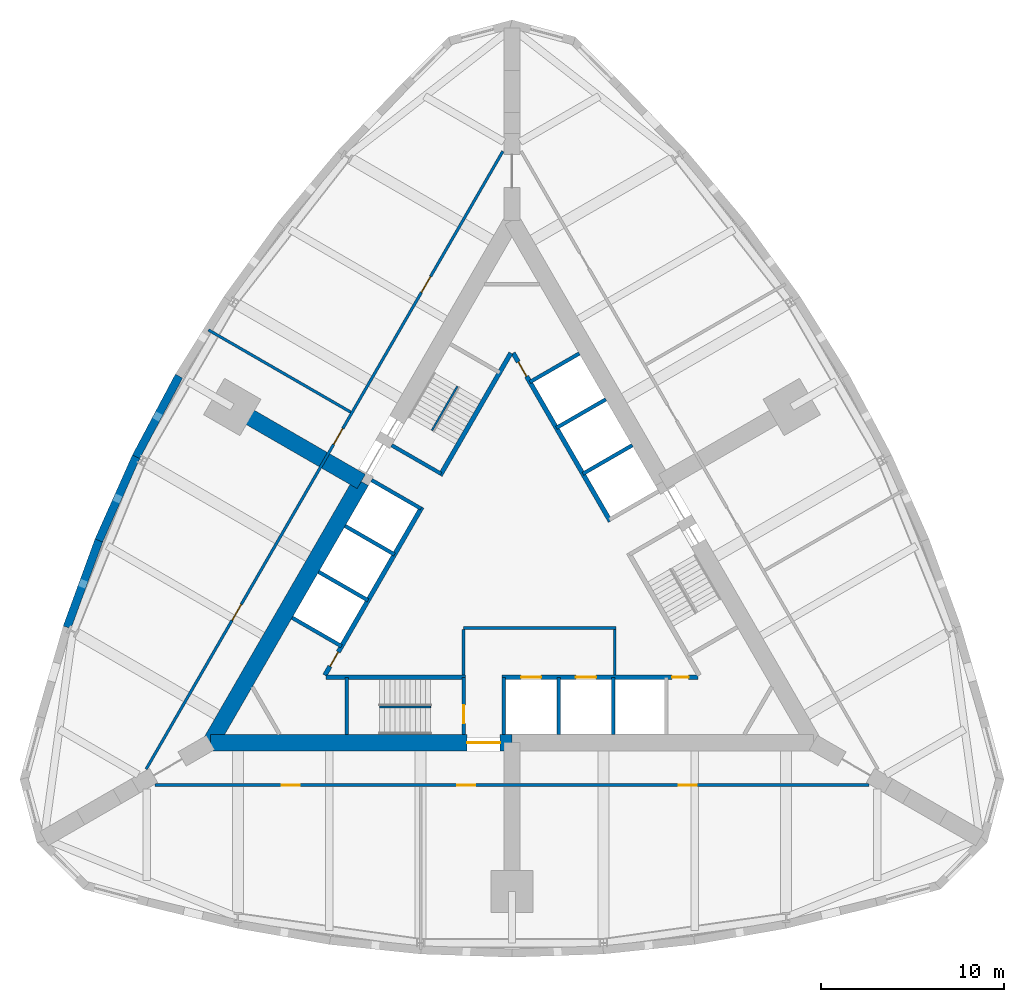
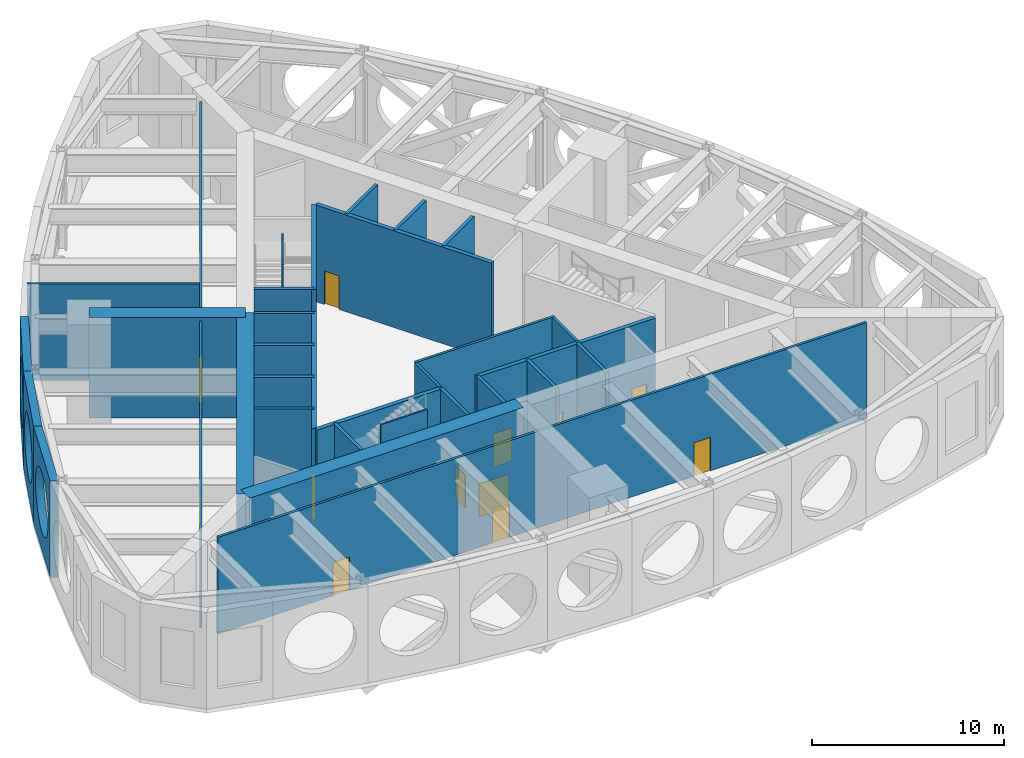
# One storey, part 3 of 7: 32 walls, 13 doors, 13 openings.
"""IFC4 building model written with IfcOpenShell, lengths in metres."""

from ifc_helpers import new_model, si_unit, direction, frame, frame_2d, origin, place, context, subcontext, project, spatial, polyline, rectangle, outline, extrude, material, layer, layer_set, type_object, element, fill, save


model = new_model("IFC4")

# Units and contexts
model_context = context("Model", 3, precision=1e-05, world=origin(), true_north=direction((0.0, 1.0)))
body_context = subcontext(model_context, "Body", "Model", "MODEL_VIEW")
ifc_project = project(units=[si_unit("LENGTHUNIT", "METRE"), si_unit("AREAUNIT", "SQUARE_METRE"), si_unit("VOLUMEUNIT", "CUBIC_METRE"), si_unit("PLANEANGLEUNIT", "RADIAN"), si_unit("MASSUNIT", "GRAM", prefix="KILO")], contexts=[model_context])

# Site, building, storey
site_placement = place(None, origin())
site = spatial("IfcSite", under=ifc_project, at=site_placement, CompositionType="ELEMENT")
building_placement = place(site_placement, origin())
building = spatial("IfcBuilding", under=site, at=building_placement, Name="Trikona Tower", CompositionType="ELEMENT")
storey_placement = place(building_placement, frame((0.0, 0.0, 189.5)))
storey = spatial("IfcBuildingStorey", under=building, at=storey_placement, Name="L51", CompositionType="ELEMENT", Elevation=189.5)

# Walls
ifc_material_1 = material(Name="Brick-faced precast concrete with louvred openings", Category="masonry")
ifc_layer_1 = layer(ifc_material_1, 0.449951171875)
ifc_layer_set_1 = layer_set([ifc_layer_1], Name="Brick-faced plant wall 450")
wall_type_1 = type_object("IfcWallType", Name="Brick-faced plant wall 450", PredefinedType="SOLIDWALL", material=ifc_layer_set_1)
wall_1_placement = place(storey_placement, frame((-18.226318359375, 10.531982421875, 0.0), z_axis=(0.0, 0.0, 1.0), x_axis=(-0.469404966864, -0.882982999317, 0.0)))
element("IfcWall", 1, at=wall_1_placement, inside=storey, type_object=wall_type_1, Name="External wall L51-28", PredefinedType="SOLIDWALL", context=body_context, shape_type="SweptSolid", body=[
    extrude(outline(polyline([(0.0, 0.0), (5.0029296875, 0.0), (5.0029296875, 6.14990234375), (0.0, 6.14990234375), (0.0, 0.0)]), holes=[polyline([(4.401611328125, 3.074951171875), (4.3369140625, 3.56689453125), (4.14697265625, 4.02490234375), (3.844970703125, 4.41845703125), (3.451416015625, 4.720458984375), (2.993408203125, 4.910400390625), (2.50146484375, 4.97509765625), (2.009765625, 4.910400390625), (1.551513671875, 4.720458984375), (1.157958984375, 4.41845703125), (0.856201171875, 4.02490234375), (0.666259765625, 3.56689453125), (0.6015625, 3.074951171875), (0.666259765625, 2.583251953125), (0.856201171875, 2.125), (1.157958984375, 1.7314453125), (1.551513671875, 1.4296875), (2.009765625, 1.23974609375), (2.50146484375, 1.175048828125), (2.993408203125, 1.23974609375), (3.451416015625, 1.4296875), (3.844970703125, 1.7314453125), (4.14697265625, 2.125), (4.3369140625, 2.583251953125), (4.401611328125, 3.074951171875)])]), frame((0.0, 0.22509765625, 0.0), z_axis=(0.0, -1.0, 0.0), x_axis=(1.0, 0.0, 0.0)), (0.0, 0.0, 1.0), 0.449951171875),
])
wall_2_placement = place(storey_placement, frame((-20.56787109375, 6.12841796875, 0.0), z_axis=(0.0, 0.0, 1.0), x_axis=(-0.406850247885, -0.913494869058, 0.0)))
element("IfcWall", 2, at=wall_2_placement, inside=storey, type_object=wall_type_1, Name="External wall L51-29", PredefinedType="SOLIDWALL", context=body_context, shape_type="SweptSolid", body=[
    extrude(outline(polyline([(0.0, 0.0), (5.02734375, 0.0), (5.02734375, 6.14990234375), (0.0, 6.14990234375), (0.0, 0.0)]), holes=[polyline([(4.413818359375, 3.074951171875), (4.34912109375, 3.56689453125), (4.1591796875, 4.02490234375), (3.857177734375, 4.41845703125), (3.463623046875, 4.720458984375), (3.005615234375, 4.910400390625), (2.513671875, 4.97509765625), (2.02197265625, 4.910400390625), (1.563720703125, 4.720458984375), (1.170166015625, 4.41845703125), (0.868408203125, 4.02490234375), (0.678466796875, 3.56689453125), (0.61376953125, 3.074951171875), (0.678466796875, 2.583251953125), (0.868408203125, 2.125), (1.170166015625, 1.7314453125), (1.563720703125, 1.4296875), (2.02197265625, 1.23974609375), (2.513671875, 1.175048828125), (3.005615234375, 1.23974609375), (3.463623046875, 1.4296875), (3.857177734375, 1.7314453125), (4.1591796875, 2.125), (4.34912109375, 2.583251953125), (4.413818359375, 3.074951171875)])]), frame((0.0, 0.22509765625, 0.0), z_axis=(0.0, -1.0, 0.0), x_axis=(1.0, 0.0, 0.0)), (0.0, 0.0, 1.0), 0.449951171875),
])
wall_3_placement = place(storey_placement, frame((-22.607421875, 1.55029296875, 0.0), z_axis=(0.0, 0.0, 1.0), x_axis=(-0.343210088389, -0.939258662578, 0.0)))
element("IfcWall", 3, at=wall_3_placement, inside=storey, type_object=wall_type_1, Name="External wall L51-30", PredefinedType="SOLIDWALL", context=body_context, shape_type="SweptSolid", body=[
    extrude(outline(polyline([(0.0, 0.0), (5.076171875, 0.0), (5.076171875, 6.14990234375), (0.0, 6.14990234375), (0.0, 0.0)]), holes=[polyline([(4.43798828125, 3.074951171875), (4.373291015625, 3.56689453125), (4.18359375, 4.02490234375), (3.881591796875, 4.41845703125), (3.488037109375, 4.720458984375), (3.02978515625, 4.910400390625), (2.5380859375, 4.97509765625), (2.04638671875, 4.910400390625), (1.587890625, 4.720458984375), (1.194580078125, 4.41845703125), (0.892578125, 4.02490234375), (0.702880859375, 3.56689453125), (0.637939453125, 3.074951171875), (0.702880859375, 2.583251953125), (0.892578125, 2.125), (1.194580078125, 1.7314453125), (1.587890625, 1.4296875), (2.04638671875, 1.23974609375), (2.5380859375, 1.175048828125), (3.02978515625, 1.23974609375), (3.488037109375, 1.4296875), (3.881591796875, 1.7314453125), (4.18359375, 2.125), (4.373291015625, 2.583251953125), (4.43798828125, 3.074951171875)])]), frame((0.0, 0.22509765625, 0.0), z_axis=(0.0, -1.0, 0.0), x_axis=(1.0, 0.0, 0.0)), (0.0, 0.0, 1.0), 0.449951171875),
])

# Wall, opening, door
ifc_material_2 = material(Name="Concrete f'c 10000 psi", Category="concrete")
ifc_layer_2 = layer(ifc_material_2, 0.89990234375)
ifc_layer_set_2 = layer_set([ifc_layer_2], Name="Core wall 900")
wall_type_2 = type_object("IfcWallType", Name="Core wall 900", PredefinedType="SHEAR", material=ifc_layer_set_2)
wall_4_placement = place(storey_placement, frame((-16.5, -9.5263671875, 0.0), z_axis=(0.0, 0.0, 1.0), x_axis=(1.0, 0.0, 0.0)))
wall_4 = element("IfcWall", 4, at=wall_4_placement, inside=storey, type_object=wall_type_2, Name="Core wall A1", PredefinedType="SHEAR", context=body_context, shape_type="SweptSolid", body=[
    extrude(rectangle(XDim=16.5, YDim=0.89990234375, at=frame_2d((8.25, 0.0))), origin(), (0.0, 0.0, 1.0), 6.39990234375),
])
opening_1_placement = place(wall_4_placement, frame((14.050048828125, 0.0, 0.0)))
opening_1 = element("IfcOpeningElement", 5, at=opening_1_placement, cuts=wall_4, Name="Opening D6", PredefinedType="OPENING", context=body_context, shape_type="SweptSolid", body=[
    extrude(rectangle(XDim=1.800048828125, YDim=2.1298828125, at=frame_2d((0.89990234375, 1.06494140625))), frame((0.0, 0.4599609375, 0.0), z_axis=(0.0, -1.0, 0.0), x_axis=(1.0, 0.0, 0.0)), (0.0, 0.0, 1.0), 0.919921875),
])
ifc_material_3 = material(Name="Hollow metal door and frame", Category="steel")
door_type_1 = type_object("IfcDoorType", Name="Lobby door pair 1800x2130", OperationType="DOUBLE_DOOR_SINGLE_SWING", PredefinedType="DOOR", material=ifc_material_3)
door_1_placement = place(opening_1_placement, origin())
door_1 = element("IfcDoor", 6, at=door_1_placement, inside=storey, type_object=door_type_1, Name="Fire service lift lobby door", OperationType="DOUBLE_DOOR_SINGLE_SWING", OverallHeight=2.1298828125, OverallWidth=1.800048828125, PredefinedType="DOOR", context=body_context, shape_type="SweptSolid", body=[
    extrude(rectangle(XDim=1.800048828125, YDim=2.1298828125, at=frame_2d((0.89990234375, 1.06494140625))), frame((0.0, 0.02490234375, 0.0), z_axis=(0.0, -1.0, 0.0), x_axis=(1.0, 0.0, 0.0)), (0.0, 0.0, 1.0), 0.050048828125),
])
fill(opening_1, door_1)

# Wall
wall_5_placement = place(storey_placement, frame((-8.25, 4.76318359375, 0.0), z_axis=(0.0, 0.0, 1.0), x_axis=(-0.499996545922, -0.866027397988, 0.0)))
element("IfcWall", 7, at=wall_5_placement, inside=storey, type_object=wall_type_2, Name="Core wall C2", PredefinedType="SHEAR", context=body_context, shape_type="SweptSolid", body=[
    extrude(rectangle(XDim=16.5, YDim=0.89990234375, at=frame_2d((8.25, 0.0))), origin(), (0.0, 0.0, 1.0), 6.39990234375),
])

# Wall, openings, doors
ifc_material_4 = material(Name="Metal stud and gypsum board, 1-hour", Category="gypsum")
ifc_layer_3 = layer(ifc_material_4, 0.14990234375)
ifc_layer_set_3 = layer_set([ifc_layer_3], Name="Corridor wall 150")
wall_type_3 = type_object("IfcWallType", Name="Corridor wall 150", PredefinedType="PARTITIONING", material=ifc_layer_set_3)
wall_6_placement = place(storey_placement, frame((-19.527099609375, -11.851318359375, 0.0), z_axis=(0.0, 0.0, 1.0), x_axis=(1.0, 0.0, 0.0)))
wall_6 = element("IfcWall", 8, at=wall_6_placement, inside=storey, type_object=wall_type_3, Name="Corridor wall L51-1", PredefinedType="PARTITIONING", context=body_context, shape_type="SweptSolid", body=[
    extrude(rectangle(XDim=39.05419921875, YDim=0.14990234375, at=frame_2d((19.527099609375, 0.0))), origin(), (0.0, 0.0, 1.0), 6.14990234375),
])
opening_2_placement = place(wall_6_placement, frame((6.91357421875, 0.0, 0.0)))
opening_2 = element("IfcOpeningElement", 9, at=opening_2_placement, cuts=wall_6, Name="Opening D3", PredefinedType="OPENING", context=body_context, shape_type="SweptSolid", body=[
    extrude(rectangle(XDim=1.0, YDim=2.1298828125, at=frame_2d((0.5, 1.06494140625))), frame((0.0, 0.0849609375, 0.0), z_axis=(0.0, -1.0, 0.0), x_axis=(1.0, 0.0, 0.0)), (0.0, 0.0, 1.0), 0.169921875),
])
opening_3_placement = place(wall_6_placement, frame((16.527099609375, 0.0, 0.0)))
opening_3 = element("IfcOpeningElement", 10, at=opening_3_placement, cuts=wall_6, Name="Opening D3", PredefinedType="OPENING", context=body_context, shape_type="SweptSolid", body=[
    extrude(rectangle(XDim=1.0, YDim=2.1298828125, at=frame_2d((0.5, 1.06494140625))), frame((0.0, 0.0849609375, 0.0), z_axis=(0.0, -1.0, 0.0), x_axis=(1.0, 0.0, 0.0)), (0.0, 0.0, 1.0), 0.169921875),
])
opening_4_placement = place(wall_6_placement, frame((28.640380859375, 0.0, 0.0)))
opening_4 = element("IfcOpeningElement", 11, at=opening_4_placement, cuts=wall_6, Name="Opening D3", PredefinedType="OPENING", context=body_context, shape_type="SweptSolid", body=[
    extrude(rectangle(XDim=1.0, YDim=2.1298828125, at=frame_2d((0.5, 1.06494140625))), frame((0.0, 0.0849609375, 0.0), z_axis=(0.0, -1.0, 0.0), x_axis=(1.0, 0.0, 0.0)), (0.0, 0.0, 1.0), 0.169921875),
])
ifc_material_5 = material(Name="Steel door frame with solid-core timber leaf", Category="steel")
door_type_2 = type_object("IfcDoorType", Name="Room door 1000x2130", OperationType="SINGLE_SWING_LEFT", PredefinedType="DOOR", material=ifc_material_5)
door_2_placement = place(opening_2_placement, origin())
door_2 = element("IfcDoor", 12, at=door_2_placement, inside=storey, type_object=door_type_2, Name="Door Transformer substation", OperationType="SINGLE_SWING_LEFT", OverallHeight=2.1298828125, OverallWidth=1.0, PredefinedType="DOOR", context=body_context, shape_type="SweptSolid", body=[
    extrude(rectangle(XDim=1.0, YDim=2.1298828125, at=frame_2d((0.5, 1.06494140625))), frame((0.0, 0.02490234375, 0.0), z_axis=(0.0, -1.0, 0.0), x_axis=(1.0, 0.0, 0.0)), (0.0, 0.0, 1.0), 0.050048828125),
])
fill(opening_2, door_2)
door_3_placement = place(opening_3_placement, origin())
door_3 = element("IfcDoor", 13, at=door_3_placement, inside=storey, type_object=door_type_2, Name="Door Sprinkler valve plant room", OperationType="SINGLE_SWING_RIGHT", OverallHeight=2.1298828125, OverallWidth=1.0, PredefinedType="DOOR", context=body_context, shape_type="SweptSolid", body=[
    extrude(rectangle(XDim=1.0, YDim=2.1298828125, at=frame_2d((0.5, 1.06494140625))), frame((0.0, 0.02490234375, 0.0), z_axis=(0.0, -1.0, 0.0), x_axis=(1.0, 0.0, 0.0)), (0.0, 0.0, 1.0), 0.050048828125),
])
fill(opening_3, door_3)
door_4_placement = place(opening_4_placement, origin())
door_4 = element("IfcDoor", 14, at=door_4_placement, inside=storey, type_object=door_type_2, Name="Door Refuge area", OperationType="SINGLE_SWING_LEFT", OverallHeight=2.1298828125, OverallWidth=1.0, PredefinedType="DOOR", context=body_context, shape_type="SweptSolid", body=[
    extrude(rectangle(XDim=1.0, YDim=2.1298828125, at=frame_2d((0.5, 1.06494140625))), frame((0.0, 0.02490234375, 0.0), z_axis=(0.0, -1.0, 0.0), x_axis=(1.0, 0.0, 0.0)), (0.0, 0.0, 1.0), 0.050048828125),
])
fill(opening_4, door_4)

wall_7_placement = place(storey_placement, frame((-0.5, 22.83642578125, 0.0), z_axis=(0.0, 0.0, 1.0), x_axis=(-0.500001677587, -0.866024435227, 0.0)))
wall_7 = element("IfcWall", 15, at=wall_7_placement, inside=storey, type_object=wall_type_3, Name="Corridor wall L51-3", PredefinedType="PARTITIONING", context=body_context, shape_type="SweptSolid", body=[
    extrude(rectangle(XDim=39.053955078125, YDim=0.14990234375, at=frame_2d((19.52685546875, 0.0))), origin(), (0.0, 0.0, 1.0), 6.14990234375),
])
opening_5_placement = place(wall_7_placement, frame((7.91357421875, 0.0, 0.0)))
opening_5 = element("IfcOpeningElement", 16, at=opening_5_placement, cuts=wall_7, Name="Opening D3", PredefinedType="OPENING", context=body_context, shape_type="SweptSolid", body=[
    extrude(rectangle(XDim=1.0, YDim=2.1298828125, at=frame_2d((0.5, 1.06494140625))), frame((0.0, 0.0849609375, 0.0), z_axis=(0.0, -1.0, 0.0), x_axis=(1.0, 0.0, 0.0)), (0.0, 0.0, 1.0), 0.169921875),
])
opening_6_placement = place(wall_7_placement, frame((17.527099609375, 0.0, 0.0)))
opening_6 = element("IfcOpeningElement", 17, at=opening_6_placement, cuts=wall_7, Name="Opening D3", PredefinedType="OPENING", context=body_context, shape_type="SweptSolid", body=[
    extrude(rectangle(XDim=1.0, YDim=2.1298828125, at=frame_2d((0.5, 1.06494140625))), frame((0.0, 0.0849609375, 0.0), z_axis=(0.0, -1.0, 0.0), x_axis=(1.0, 0.0, 0.0)), (0.0, 0.0, 1.0), 0.169921875),
])
opening_7_placement = place(wall_7_placement, frame((28.640380859375, 0.0, 0.0)))
opening_7 = element("IfcOpeningElement", 18, at=opening_7_placement, cuts=wall_7, Name="Opening D3", PredefinedType="OPENING", context=body_context, shape_type="SweptSolid", body=[
    extrude(rectangle(XDim=1.0, YDim=2.1298828125, at=frame_2d((0.5, 1.06494140625))), frame((0.0, 0.0849609375, 0.0), z_axis=(0.0, -1.0, 0.0), x_axis=(1.0, 0.0, 0.0)), (0.0, 0.0, 1.0), 0.169921875),
])
door_5_placement = place(opening_5_placement, origin())
door_5 = element("IfcDoor", 19, at=door_5_placement, inside=storey, type_object=door_type_2, Name="Door Break tank room", OperationType="SINGLE_SWING_LEFT", OverallHeight=2.1298828125, OverallWidth=1.0, PredefinedType="DOOR", context=body_context, shape_type="SweptSolid", body=[
    extrude(rectangle(XDim=1.0, YDim=2.1298828125, at=frame_2d((0.5, 1.06494140625))), frame((0.0, 0.02490234375, 0.0), z_axis=(0.0, -1.0, 0.0), x_axis=(1.0, 0.0, 0.0)), (0.0, 0.0, 1.0), 0.050048828125),
])
fill(opening_5, door_5)
door_6_placement = place(opening_6_placement, origin())
door_6 = element("IfcDoor", 20, at=door_6_placement, inside=storey, type_object=door_type_2, Name="Door Booster pump plant room", OperationType="SINGLE_SWING_RIGHT", OverallHeight=2.1298828125, OverallWidth=1.0, PredefinedType="DOOR", context=body_context, shape_type="SweptSolid", body=[
    extrude(rectangle(XDim=1.0, YDim=2.1298828125, at=frame_2d((0.5, 1.06494140625))), frame((0.0, 0.02490234375, 0.0), z_axis=(0.0, -1.0, 0.0), x_axis=(1.0, 0.0, 0.0)), (0.0, 0.0, 1.0), 0.050048828125),
])
fill(opening_6, door_6)
door_7_placement = place(opening_7_placement, origin())
door_7 = element("IfcDoor", 21, at=door_7_placement, inside=storey, type_object=door_type_2, Name="Door Smoke control fan plant room", OperationType="SINGLE_SWING_LEFT", OverallHeight=2.1298828125, OverallWidth=1.0, PredefinedType="DOOR", context=body_context, shape_type="SweptSolid", body=[
    extrude(rectangle(XDim=1.0, YDim=2.1298828125, at=frame_2d((0.5, 1.06494140625))), frame((0.0, 0.02490234375, 0.0), z_axis=(0.0, -1.0, 0.0), x_axis=(1.0, 0.0, 0.0)), (0.0, 0.0, 1.0), 0.050048828125),
])
fill(opening_7, door_7)

# Wall
ifc_material_6 = material(Name="Concrete f'c 8000 psi", Category="concrete")
ifc_layer_4 = layer(ifc_material_6, 0.25)
ifc_layer_set_4 = layer_set([ifc_layer_4], Name="Hub wall 250")
wall_type_4 = type_object("IfcWallType", Name="Hub wall 250", PredefinedType="SOLIDWALL", material=ifc_layer_set_4)
wall_8_placement = place(storey_placement, frame((-10.182861328125, -5.951416015625, 0.0), z_axis=(0.0, 0.0, 1.0), x_axis=(1.0, 0.0, 0.0)))
element("IfcWall", 22, at=wall_8_placement, inside=storey, type_object=wall_type_4, Name="Lift lobby wall A1", PredefinedType="SOLIDWALL", context=body_context, shape_type="SweptSolid", body=[
    extrude(rectangle(XDim=7.6328125, YDim=0.25, at=frame_2d((3.81640625, 0.0))), origin(), (0.0, 0.0, 1.0), 6.14990234375),
])

# Wall, openings, doors
wall_9_placement = place(storey_placement, frame((-0.550048828125, -5.951416015625, 0.0), z_axis=(0.0, 0.0, 1.0), x_axis=(1.0, 0.0, 0.0)))
wall_9 = element("IfcWall", 23, at=wall_9_placement, inside=storey, type_object=wall_type_4, Name="Lift lobby wall A2", PredefinedType="SOLIDWALL", context=body_context, shape_type="SweptSolid", body=[
    extrude(rectangle(XDim=10.73291015625, YDim=0.25, at=frame_2d((5.366455078125, 0.0))), origin(), (0.0, 0.0, 1.0), 6.14990234375),
])
opening_8_placement = place(wall_9_placement, frame((9.31396484375, 0.0, 0.0)))
opening_8 = element("IfcOpeningElement", 24, at=opening_8_placement, cuts=wall_9, Name="Opening D14", PredefinedType="OPENING", context=body_context, shape_type="SweptSolid", body=[
    extrude(rectangle(XDim=0.89990234375, YDim=2.1298828125, at=frame_2d((0.449951171875, 1.06494140625))), frame((0.0, 0.135009765625, 0.0), z_axis=(0.0, -1.0, 0.0), x_axis=(1.0, 0.0, 0.0)), (0.0, 0.0, 1.0), 0.27001953125),
])
opening_9_placement = place(wall_9_placement, frame((1.050048828125, 0.0, 0.0)))
opening_9 = element("IfcOpeningElement", 25, at=opening_9_placement, cuts=wall_9, Name="Opening LD", PredefinedType="OPENING", context=body_context, shape_type="SweptSolid", body=[
    extrude(rectangle(XDim=1.10009765625, YDim=2.1298828125, at=frame_2d((0.550048828125, 1.06494140625))), frame((0.0, 0.135009765625, 0.0), z_axis=(0.0, -1.0, 0.0), x_axis=(1.0, 0.0, 0.0)), (0.0, 0.0, 1.0), 0.27001953125),
])
opening_10_placement = place(wall_9_placement, frame((4.050048828125, 0.0, 0.0)))
opening_10 = element("IfcOpeningElement", 26, at=opening_10_placement, cuts=wall_9, Name="Opening LD", PredefinedType="OPENING", context=body_context, shape_type="SweptSolid", body=[
    extrude(rectangle(XDim=1.10009765625, YDim=2.1298828125, at=frame_2d((0.550048828125, 1.06494140625))), frame((0.0, 0.135009765625, 0.0), z_axis=(0.0, -1.0, 0.0), x_axis=(1.0, 0.0, 0.0)), (0.0, 0.0, 1.0), 0.27001953125),
])
ifc_material_7 = material(Name="Stainless steel lift landing door", Category="steel")
door_type_3 = type_object("IfcDoorType", Name="Lift landing door 1100x2130", OperationType="DOUBLE_DOOR_SLIDING", PredefinedType="USERDEFINED", material=ifc_material_7)
door_8_placement = place(opening_9_placement, origin())
door_8 = element("IfcDoor", 27, at=door_8_placement, inside=storey, type_object=door_type_3, Name="Lift landing door FF1", ObjectType="LIFT LANDING DOOR", OperationType="DOUBLE_DOOR_SLIDING", OverallHeight=2.1298828125, OverallWidth=1.10009765625, PredefinedType="USERDEFINED", context=body_context, shape_type="SweptSolid", body=[
    extrude(rectangle(XDim=1.10009765625, YDim=2.1298828125, at=frame_2d((0.550048828125, 1.06494140625))), frame((0.0, 0.02490234375, 0.0), z_axis=(0.0, -1.0, 0.0), x_axis=(1.0, 0.0, 0.0)), (0.0, 0.0, 1.0), 0.050048828125),
])
fill(opening_9, door_8)
door_9_placement = place(opening_10_placement, origin())
door_9 = element("IfcDoor", 28, at=door_9_placement, inside=storey, type_object=door_type_3, Name="Lift landing door FF2", ObjectType="LIFT LANDING DOOR", OperationType="DOUBLE_DOOR_SLIDING", OverallHeight=2.1298828125, OverallWidth=1.10009765625, PredefinedType="USERDEFINED", context=body_context, shape_type="SweptSolid", body=[
    extrude(rectangle(XDim=1.10009765625, YDim=2.1298828125, at=frame_2d((0.550048828125, 1.06494140625))), frame((0.0, 0.02490234375, 0.0), z_axis=(0.0, -1.0, 0.0), x_axis=(1.0, 0.0, 0.0)), (0.0, 0.0, 1.0), 0.050048828125),
])
fill(opening_10, door_9)
ifc_material_8 = material(Name="Hollow metal door and frame", Category="steel")
door_type_4 = type_object("IfcDoorType", Name="Service room door 900x2130", OperationType="SINGLE_SWING_LEFT", PredefinedType="DOOR", material=ifc_material_8)
door_10_placement = place(opening_8_placement, origin())
door_10 = element("IfcDoor", 29, at=door_10_placement, inside=storey, type_object=door_type_4, Name="Door Plant store PST", OperationType="SINGLE_SWING_RIGHT", OverallHeight=2.1298828125, OverallWidth=0.89990234375, PredefinedType="DOOR", context=body_context, shape_type="SweptSolid", body=[
    extrude(rectangle(XDim=0.89990234375, YDim=2.1298828125, at=frame_2d((0.449951171875, 1.06494140625))), frame((0.0, 0.02490234375, 0.0), z_axis=(0.0, -1.0, 0.0), x_axis=(1.0, 0.0, 0.0)), (0.0, 0.0, 1.0), 0.050048828125),
])
fill(opening_8, door_10)

# Wall, opening, door
wall_10_placement = place(storey_placement, frame((5.37890625, 2.5859375, 0.0), z_axis=(0.0, 0.0, 1.0), x_axis=(-0.500001375892, 0.866024609411, 0.0)))
wall_10 = element("IfcWall", 30, at=wall_10_placement, inside=storey, type_object=wall_type_4, Name="Lift lobby wall B2", PredefinedType="SOLIDWALL", context=body_context, shape_type="SweptSolid", body=[
    extrude(rectangle(XDim=10.6328125, YDim=0.25, at=frame_2d((5.31640625, 0.0))), origin(), (0.0, 0.0, 1.0), 6.14990234375),
])
opening_11_placement = place(wall_10_placement, frame((9.1640625, 0.0, 0.0)))
opening_11 = element("IfcOpeningElement", 31, at=opening_11_placement, cuts=wall_10, Name="Opening D14", PredefinedType="OPENING", context=body_context, shape_type="SweptSolid", body=[
    extrude(rectangle(XDim=0.89990234375, YDim=2.1298828125, at=frame_2d((0.449951171875, 1.06494140625))), frame((0.0, 0.135009765625, 0.0), z_axis=(0.0, -1.0, 0.0), x_axis=(1.0, 0.0, 0.0)), (0.0, 0.0, 1.0), 0.27001953125),
])
door_11_placement = place(opening_11_placement, origin())
door_11 = element("IfcDoor", 32, at=door_11_placement, inside=storey, type_object=door_type_4, Name="Door IT and communications room ITC", OperationType="SINGLE_SWING_RIGHT", OverallHeight=2.1298828125, OverallWidth=0.89990234375, PredefinedType="DOOR", context=body_context, shape_type="SweptSolid", body=[
    extrude(rectangle(XDim=0.89990234375, YDim=2.1298828125, at=frame_2d((0.449951171875, 1.06494140625))), frame((0.0, 0.02490234375, 0.0), z_axis=(0.0, -1.0, 0.0), x_axis=(1.0, 0.0, 0.0)), (0.0, 0.0, 1.0), 0.050048828125),
])
fill(opening_11, door_11)

# Wall
wall_11_placement = place(storey_placement, frame((-0.0625, 11.794189453125, 0.0), z_axis=(0.0, 0.0, 1.0), x_axis=(-0.500006680225, -0.86602154692, 0.0)))
element("IfcWall", 33, at=wall_11_placement, inside=storey, type_object=wall_type_4, Name="Lift lobby wall C1", PredefinedType="SOLIDWALL", context=body_context, shape_type="SweptSolid", body=[
    extrude(rectangle(XDim=7.73291015625, YDim=0.25, at=frame_2d((3.866455078125, 0.0))), origin(), (0.0, 0.0, 1.0), 6.14990234375),
])

# Wall, opening, door
wall_12_placement = place(storey_placement, frame((-4.928955078125, 3.365478515625, 0.0), z_axis=(0.0, 0.0, 1.0), x_axis=(-0.499991433582, -0.866030349552, 0.0)))
wall_12 = element("IfcWall", 34, at=wall_12_placement, inside=storey, type_object=wall_type_4, Name="Lift lobby wall C2", PredefinedType="SOLIDWALL", context=body_context, shape_type="SweptSolid", body=[
    extrude(rectangle(XDim=10.633056640625, YDim=0.25, at=frame_2d((5.31640625, 0.0))), origin(), (0.0, 0.0, 1.0), 6.14990234375),
])
opening_12_placement = place(wall_12_placement, frame((9.1640625, 0.0, 0.0)))
opening_12 = element("IfcOpeningElement", 35, at=opening_12_placement, cuts=wall_12, Name="Opening D14", PredefinedType="OPENING", context=body_context, shape_type="SweptSolid", body=[
    extrude(rectangle(XDim=0.89990234375, YDim=2.1298828125, at=frame_2d((0.449951171875, 1.06494140625))), frame((0.0, 0.135009765625, 0.0), z_axis=(0.0, -1.0, 0.0), x_axis=(1.0, 0.0, 0.0)), (0.0, 0.0, 1.0), 0.27001953125),
])
door_12_placement = place(opening_12_placement, origin())
door_12 = element("IfcDoor", 36, at=door_12_placement, inside=storey, type_object=door_type_4, Name="Door Electrical room ELR", OperationType="SINGLE_SWING_RIGHT", OverallHeight=2.1298828125, OverallWidth=0.89990234375, PredefinedType="DOOR", context=body_context, shape_type="SweptSolid", body=[
    extrude(rectangle(XDim=0.89990234375, YDim=2.1298828125, at=frame_2d((0.449951171875, 1.06494140625))), frame((0.0, 0.02490234375, 0.0), z_axis=(0.0, -1.0, 0.0), x_axis=(1.0, 0.0, 0.0)), (0.0, 0.0, 1.0), 0.050048828125),
])
fill(opening_12, door_12)

# Walls
ifc_material_9 = material(Name="Metal stud and gypsum board, 2-hour shaft wall", Category="gypsum")
ifc_layer_5 = layer(ifc_material_9, 0.14990234375)
ifc_layer_set_5 = layer_set([ifc_layer_5], Name="Lobby wall 150")
wall_type_5 = type_object("IfcWallType", Name="Lobby wall 150", PredefinedType="PARTITIONING", material=ifc_layer_set_5)
wall_13_placement = place(storey_placement, frame((-2.64990234375, -3.251220703125, 0.0), z_axis=(0.0, 0.0, 1.0), x_axis=(1.0, 0.0, 0.0)))
element("IfcWall", 37, at=wall_13_placement, inside=storey, type_object=wall_type_5, Name="Fire service lift lobby wall 1", PredefinedType="PARTITIONING", context=body_context, shape_type="SweptSolid", body=[
    extrude(rectangle(XDim=8.349853515625, YDim=0.14990234375, at=frame_2d((4.1748046875, 0.0))), origin(), (0.0, 0.0, 1.0), 6.14990234375),
])
for number, where, z_axis, x_axis, name in (
    (38, (-2.64990234375, -5.826416015625, 0.0), (0.0, 0.0, 1.0), (0.0, 1.0, 0.0), "Fire service lift lobby wall 2"),
    (39, (5.625, -5.826416015625, 0.0), (0.0, 0.0, 1.0), (0.0, 1.0, 0.0), "Fire service lift lobby wall 3"),
):
    element("IfcWall", number, at=place(storey_placement, frame(where, z_axis=z_axis, x_axis=x_axis)), inside=storey, type_object=wall_type_5, Name=name, PredefinedType="PARTITIONING", context=body_context, shape_type="SweptSolid", body=[
        extrude(rectangle(XDim=2.5, YDim=0.14990234375, at=frame_2d((1.25, 0.0))), origin(), (0.0, 0.0, 1.0), 6.14990234375),
    ])
ifc_material_10 = material(Name="Concrete f'c 10000 psi", Category="concrete")
ifc_layer_6 = layer(ifc_material_10, 0.89990234375)
ifc_layer_set_6 = layer_set([ifc_layer_6], Name="Outrigger wall 900")
wall_type_6 = type_object("IfcWallType", Name="Outrigger wall 900", PredefinedType="SHEAR", material=ifc_layer_set_6)
wall_14_placement = place(storey_placement, frame((-8.25, 4.76318359375, 0.0), z_axis=(0.0, 0.0, 1.0), x_axis=(-0.866023543838, 0.500003221507, 0.0)))
element("IfcWall", 40, at=wall_14_placement, inside=storey, type_object=wall_type_6, Name="Outrigger wall 3", PredefinedType="SHEAR", context=body_context, shape_type="SweptSolid", body=[
    extrude(rectangle(XDim=8.154296875, YDim=0.89990234375, at=frame_2d((4.0771484375, 0.0))), origin(), (0.0, 0.0, 1.0), 6.39990234375),
])
ifc_material_11 = material(Name="Metal stud and gypsum board, 1-hour acoustic", Category="gypsum")
ifc_layer_7 = layer(ifc_material_11, 0.14990234375)
ifc_layer_set_7 = layer_set([ifc_layer_7], Name="Party wall 150")
wall_type_7 = type_object("IfcWallType", Name="Party wall 150", PredefinedType="PARTITIONING", material=ifc_layer_set_7)
wall_15_placement = place(storey_placement, frame((-8.82861328125, 8.561279296875, 0.0), z_axis=(0.0, 0.0, 1.0), x_axis=(-0.866021034389, 0.500007567939, 0.0)))
element("IfcWall", 41, at=wall_15_placement, inside=storey, type_object=wall_type_7, Name="Partition L51 F3 u-3", PredefinedType="PARTITIONING", context=body_context, shape_type="SweptSolid", body=[
    extrude(rectangle(XDim=8.993408203125, YDim=0.14990234375, at=frame_2d((4.49658203125, 0.0))), origin(), (0.0, 0.0, 1.0), 6.14990234375),
])
ifc_material_12 = material(Name="Concrete f'c 8000 psi", Category="concrete")
ifc_layer_8 = layer(ifc_material_12, 0.199951171875)
ifc_layer_set_8 = layer_set([ifc_layer_8], Name="Shaft wall 200")
wall_type_8 = type_object("IfcWallType", Name="Shaft wall 200", PredefinedType="SOLIDWALL", material=ifc_layer_set_8)
for number, where, z_axis, x_axis, name in (
    (42, (-0.449951171875, -5.951416015625, 0.0), (0.0, 0.0, 1.0), (0.0, -1.0, 0.0), "Shaft wall A3"),
    (43, (2.550048828125, -5.951416015625, 0.0), (0.0, 0.0, 1.0), (0.0, -1.0, 0.0), "Shaft wall A4"),
    (44, (5.550048828125, -5.951416015625, 0.0), (0.0, 0.0, 1.0), (0.0, -1.0, 0.0), "Shaft wall A5"),
    (45, (3.87890625, 5.18408203125, 0.0), (0.0, 0.0, 1.0), (0.866022959057, 0.500004234368, 0.0), "Shaft wall B4"),
    (46, (2.428955078125, 7.695556640625, 0.0), (0.0, 0.0, 1.0), (0.866022959057, 0.500004234368, 0.0), "Shaft wall B5"),
    (47, (0.97900390625, 10.20703125, 0.0), (0.0, 0.0, 1.0), (0.866022959057, 0.500004234368, 0.0), "Shaft wall B6"),
    (48, (-4.97900390625, 3.27880859375, 0.0), (0.0, 0.0, 1.0), (-0.866022959057, 0.500004234368, 0.0), "Shaft wall C3"),
    (49, (-6.428955078125, 0.767333984375, 0.0), (0.0, 0.0, 1.0), (-0.866022959057, 0.500004234368, 0.0), "Shaft wall C4"),
    (50, (-7.87890625, -1.744140625, 0.0), (0.0, 0.0, 1.0), (-0.866022959057, 0.500004234368, 0.0), "Shaft wall C5"),
    (51, (-9.3291015625, -4.255615234375, 0.0), (0.0, 0.0, 1.0), (-0.866022959057, 0.500004234368, 0.0), "Shaft wall C6"),
):
    element("IfcWall", number, at=place(storey_placement, frame(where, z_axis=z_axis, x_axis=x_axis)), inside=storey, type_object=wall_type_8, Name=name, PredefinedType="SOLIDWALL", context=body_context, shape_type="SweptSolid", body=[
        extrude(rectangle(XDim=3.125, YDim=0.199951171875, at=frame_2d((1.5625, 0.0))), origin(), (0.0, 0.0, 1.0), 6.14990234375),
    ])
ifc_material_13 = material(Name="Concrete f'c 8000 psi", Category="concrete")
ifc_layer_9 = layer(ifc_material_13, 0.199951171875)
ifc_layer_set_9 = layer_set([ifc_layer_9], Name="Shaft wall 200 load-bearing")
wall_type_9 = type_object("IfcWallType", Name="Shaft wall 200 load-bearing", PredefinedType="SOLIDWALL", material=ifc_layer_set_9)
wall_16_placement = place(storey_placement, frame((-9.050048828125, -5.951416015625, 0.0), z_axis=(0.0, 0.0, 1.0), x_axis=(0.0, -1.0, 0.0)))
element("IfcWall", 52, at=wall_16_placement, inside=storey, type_object=wall_type_9, Name="Shaft wall A1", PredefinedType="SOLIDWALL", context=body_context, shape_type="SweptSolid", body=[
    extrude(rectangle(XDim=3.125, YDim=0.199951171875, at=frame_2d((1.5625, 0.0))), origin(), (0.0, 0.0, 1.0), 6.14990234375),
])

# Wall, opening, door
wall_17_placement = place(storey_placement, frame((-2.64990234375, -5.951416015625, 0.0), z_axis=(0.0, 0.0, 1.0), x_axis=(0.0, -1.0, 0.0)))
wall_17 = element("IfcWall", 53, at=wall_17_placement, inside=storey, type_object=wall_type_9, Name="Shaft wall A2", PredefinedType="SOLIDWALL", context=body_context, shape_type="SweptSolid", body=[
    extrude(rectangle(XDim=3.125, YDim=0.199951171875, at=frame_2d((1.5625, 0.0))), origin(), (0.0, 0.0, 1.0), 6.14990234375),
])
opening_13_placement = place(wall_17_placement, frame((1.52490234375, 0.0, 0.0)))
opening_13 = element("IfcOpeningElement", 54, at=opening_13_placement, cuts=wall_17, Name="Opening D5", PredefinedType="OPENING", context=body_context, shape_type="SweptSolid", body=[
    extrude(rectangle(XDim=1.0, YDim=2.1298828125, at=frame_2d((0.5, 1.06494140625))), frame((0.0, 0.10986328125, 0.0), z_axis=(0.0, -1.0, 0.0), x_axis=(1.0, 0.0, 0.0)), (0.0, 0.0, 1.0), 0.219970703125),
])
ifc_material_14 = material(Name="Hollow metal door and frame", Category="steel")
door_type_5 = type_object("IfcDoorType", Name="Stair door 1000x2130", OperationType="SINGLE_SWING_LEFT", PredefinedType="DOOR", material=ifc_material_14)
door_13_placement = place(opening_13_placement, origin())
door_13 = element("IfcDoor", 55, at=door_13_placement, inside=storey, type_object=door_type_5, Name="Stair A door", OperationType="SINGLE_SWING_RIGHT", OverallHeight=2.1298828125, OverallWidth=1.0, PredefinedType="DOOR", context=body_context, shape_type="SweptSolid", body=[
    extrude(rectangle(XDim=1.0, YDim=2.1298828125, at=frame_2d((0.5, 1.06494140625))), frame((0.0, 0.02490234375, 0.0), z_axis=(0.0, -1.0, 0.0), x_axis=(1.0, 0.0, 0.0)), (0.0, 0.0, 1.0), 0.050048828125),
])
fill(opening_13, door_13)

# Walls
wall_18_placement = place(storey_placement, frame((-3.87890625, 5.18408203125, 0.0), z_axis=(0.0, 0.0, 1.0), x_axis=(-0.866022959057, 0.500004234368, 0.0)))
element("IfcWall", 56, at=wall_18_placement, inside=storey, type_object=wall_type_9, Name="Shaft wall C2", PredefinedType="SOLIDWALL", context=body_context, shape_type="SweptSolid", body=[
    extrude(rectangle(XDim=3.125, YDim=0.199951171875, at=frame_2d((1.5625, 0.0))), origin(), (0.0, 0.0, 1.0), 6.14990234375),
])
ifc_material_15 = material(Name="Concrete f'c 5000 psi", Category="concrete")
ifc_layer_10 = layer(ifc_material_15, 0.10009765625)
ifc_layer_set_10 = layer_set([ifc_layer_10], Name="Stair spine wall 100")
wall_type_10 = type_object("IfcWallType", Name="Stair spine wall 100", PredefinedType="SOLIDWALL", material=ifc_layer_set_10)
wall_19_placement = place(storey_placement, frame((-7.2470703125, -7.576416015625, 0.0), z_axis=(0.0, 0.0, 1.0), x_axis=(1.0, 0.0, 0.0)))
element("IfcWall", 57, at=wall_19_placement, inside=storey, type_object=wall_type_10, Name="Stair A spine wall L51", PredefinedType="SOLIDWALL", context=body_context, shape_type="SweptSolid", body=[
    extrude(rectangle(XDim=2.794189453125, YDim=0.10009765625, at=frame_2d((1.39697265625, 0.0))), origin(), (0.0, 0.0, 1.0), 6.39990234375),
])
wall_20_placement = place(storey_placement, frame((-2.98779296875, 9.9775390625, 0.0), z_axis=(0.0, 0.0, 1.0), x_axis=(-0.499992232847, -0.866029888106, 0.0)))
element("IfcWall", 58, at=wall_20_placement, inside=storey, type_object=wall_type_10, Name="Stair C spine wall L51", PredefinedType="SOLIDWALL", context=body_context, shape_type="SweptSolid", body=[
    extrude(rectangle(XDim=2.7939453125, YDim=0.10009765625, at=frame_2d((1.39697265625, 0.0))), origin(), (0.0, 0.0, 1.0), 6.39990234375),
])

save(model, "model.ifc")
